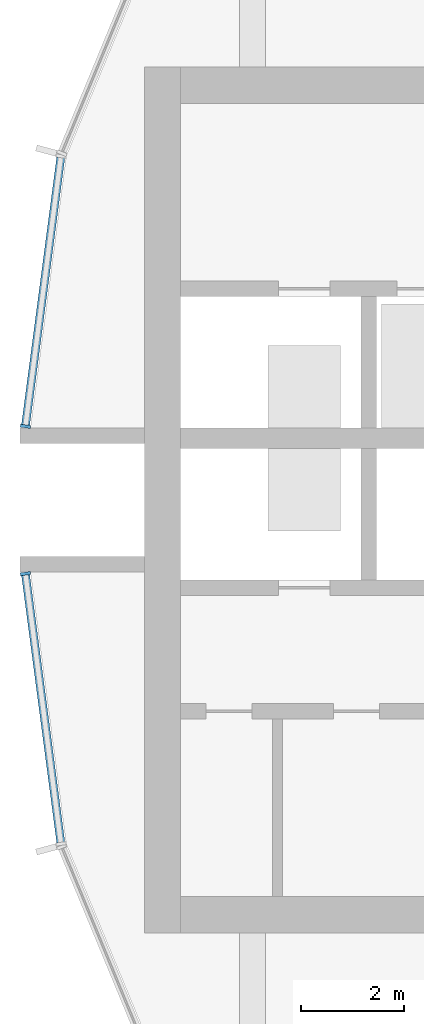
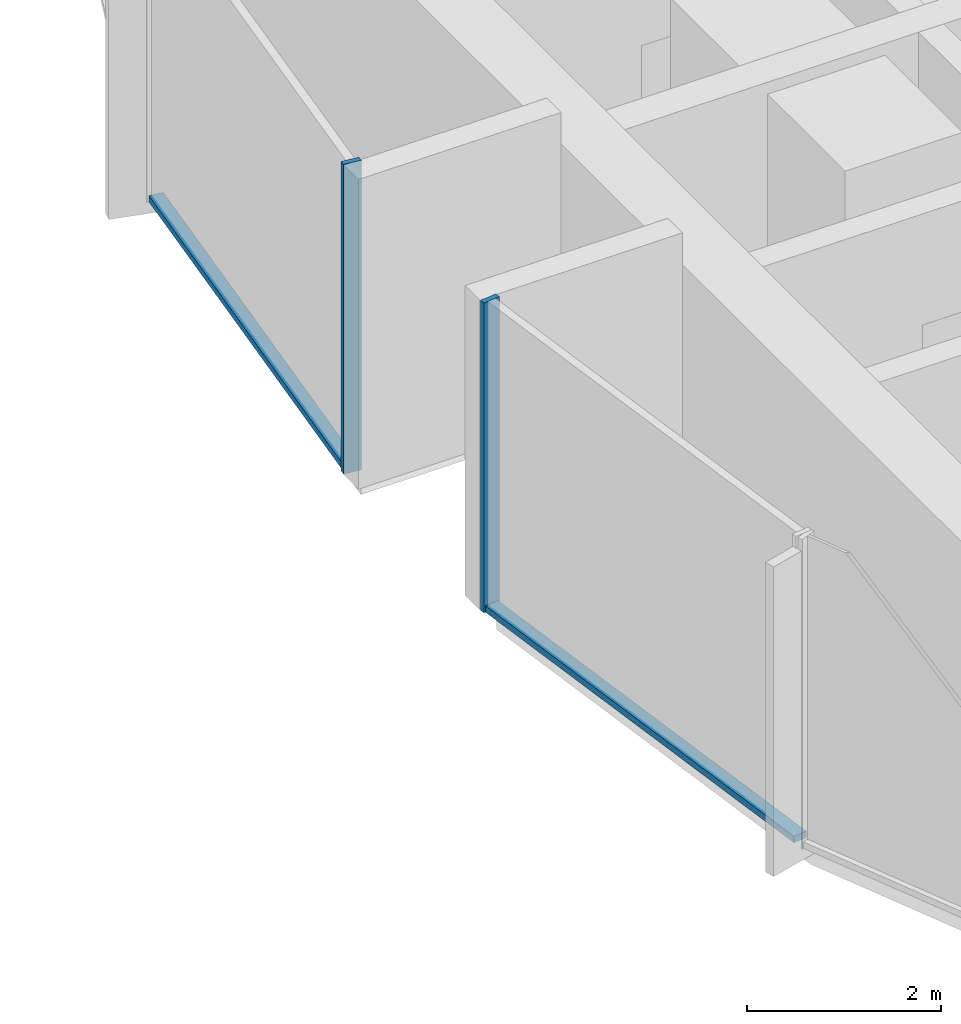
# One storey, part 3 of 15: 4 members, 2 elements without a shape of their own.
"""IFC4 building model written with IfcOpenShell, lengths in metres."""

from ifc_helpers import new_model, si_unit, direction, frame, origin, origin_2d, place, context, subcontext, project, spatial, rectangle, extrude, material, layer, layer_set, material_profile, profile_set, type_object, element, aggregate, save


model = new_model("IFC4")

# Units and contexts
model_context = context("Model", 3, precision=1e-05, world=origin(), true_north=direction((0.0, 1.0)))
body_context = subcontext(model_context, "Body", "Model", "MODEL_VIEW")
ifc_project = project(units=[si_unit("LENGTHUNIT", "METRE"), si_unit("AREAUNIT", "SQUARE_METRE"), si_unit("VOLUMEUNIT", "CUBIC_METRE"), si_unit("PLANEANGLEUNIT", "RADIAN"), si_unit("MASSUNIT", "GRAM", prefix="KILO")], contexts=[model_context])

# Site, building, storey
site_placement = place(None, origin())
site = spatial("IfcSite", under=ifc_project, at=site_placement, CompositionType="ELEMENT")
building_placement = place(site_placement, origin())
building = spatial("IfcBuilding", under=site, at=building_placement, Name="Torre Brocal", CompositionType="ELEMENT")
storey_placement = place(building_placement, frame((0.0, 0.0, 145.800048828125)))
storey = spatial("IfcBuildingStorey", under=building, at=storey_placement, Name="L34", CompositionType="ELEMENT", Elevation=145.800048828125)

# Curtain wall, member
ifc_material_1 = material(Name="Aluminium and glass", Category="aluminium")
ifc_layer = layer(ifc_material_1, 0.199951171875)
ifc_layer_set = layer_set([ifc_layer], Name="Aluminium and glass")
curtain_wall_type = type_object("IfcCurtainWallType", Name="CW-1B CURTAIN WALL 3900 HIGH", PredefinedType="NOTDEFINED", material=ifc_layer_set)
curtain_wall_1_placement = place(storey_placement, origin())
curtain_wall_1 = element("IfcCurtainWall", 1, at=curtain_wall_1_placement, inside=storey, type_object=curtain_wall_type, Name="CW-1B RUN 12", PredefinedType="NOTDEFINED")
ifc_material_2 = material(Name="Aluminium, dark anodised", Category="aluminium")
ifc_material_profile_1 = material_profile(ifc_material_2, rectangle(XDim=0.199951171875, YDim=0.06005859375, at=origin_2d()), Name="CW-1B MULLION 60X200")
ifc_profile_set_1 = profile_set([ifc_material_profile_1], Name="Aluminium, dark anodised")
member_type_1 = type_object("IfcMemberType", Name="CW-1B MULLION 60X200", PredefinedType="MULLION", material=ifc_profile_set_1)
member_1_placement = place(storey_placement, frame((54.2890625, 76.4296875, 0.0), z_axis=(0.0, 0.0, 1.0), x_axis=(0.991444861374, -0.13052619222, 0.0)))
member_1 = element("IfcMember", 2, at=member_1_placement, type_object=member_type_1, Name="CW1B-3 mullion 2", PredefinedType="MULLION", context=body_context, shape_type="SweptSolid", body=[
    extrude(rectangle(XDim=0.199951171875, YDim=0.06005859375, at=origin_2d()), origin(), (0.0, 0.0, 1.0), 3.89990234375),
])

curtain_wall_2_placement = place(storey_placement, origin())
curtain_wall_2 = element("IfcCurtainWall", 3, at=curtain_wall_2_placement, inside=storey, type_object=curtain_wall_type, Name="CW-1B RUN 13", PredefinedType="NOTDEFINED")
member_2_placement = place(storey_placement, frame((54.2890625, 73.5703125, 0.0), z_axis=(0.0, 0.0, 1.0), x_axis=(0.991444861374, 0.13052619222, 0.0)))
member_2 = element("IfcMember", 4, at=member_2_placement, type_object=member_type_1, Name="CW1B-3 mullion 1", PredefinedType="MULLION", context=body_context, shape_type="SweptSolid", body=[
    extrude(rectangle(XDim=0.199951171875, YDim=0.06005859375, at=origin_2d()), origin(), (0.0, 0.0, 1.0), 3.89990234375),
])

# Member
ifc_material_3 = material(Name="Aluminium, dark anodised", Category="aluminium")
ifc_material_profile_2 = material_profile(ifc_material_3, rectangle(XDim=0.159912109375, YDim=0.080078125, at=origin_2d()), Name="CW-1B TRANSOM 160X80")
ifc_profile_set_2 = profile_set([ifc_material_profile_2], Name="Aluminium, dark anodised")
member_type_2 = type_object("IfcMemberType", Name="CW-1B TRANSOM 160X80", PredefinedType="USERDEFINED", material=ifc_profile_set_2)
member_3_placement = place(storey_placement, frame((54.9755859375, 81.643798828125, 0.0400390625), z_axis=(-0.130542677827, -0.991442690863, 0.0), x_axis=(0.991442690863, -0.130542677827, 0.0)))
member_3 = element("IfcMember", 5, at=member_3_placement, type_object=member_type_2, Name="CW1B-3 transom 1.1", ObjectType="TRANSOM", PredefinedType="USERDEFINED", context=body_context, shape_type="SweptSolid", body=[
    extrude(rectangle(XDim=0.159912109375, YDim=0.080078125, at=origin_2d()), origin(), (0.0, 0.0, 1.0), 5.22900390625),
])

aggregate(curtain_wall_1, [member_1, member_3])

member_4_placement = place(storey_placement, frame((54.29296875, 73.54052734375, 0.0400390625), z_axis=(0.130542677827, -0.991442690863, 0.0), x_axis=(0.991442690863, 0.130542677827, 0.0)))
member_4 = element("IfcMember", 6, at=member_4_placement, type_object=member_type_2, Name="CW1B-3 transom 1.1", ObjectType="TRANSOM", PredefinedType="USERDEFINED", context=body_context, shape_type="SweptSolid", body=[
    extrude(rectangle(XDim=0.159912109375, YDim=0.080078125, at=origin_2d()), origin(), (0.0, 0.0, 1.0), 5.22900390625),
])

aggregate(curtain_wall_2, [member_2, member_4])

save(model, "model.ifc")
